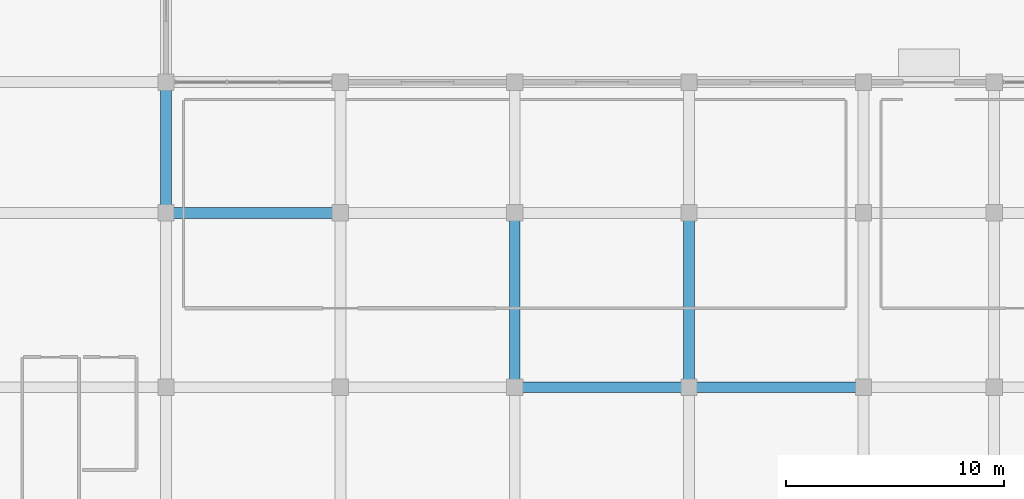
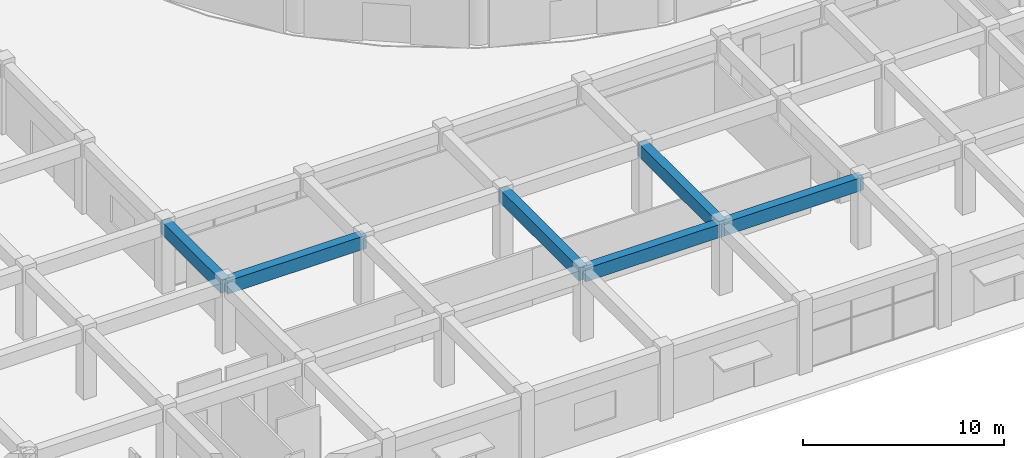
# One storey, part 9 of 40: 6 beams.
"""IFC4 building model written with IfcOpenShell, lengths in metres."""

import ifcopenshell
import ifcopenshell.guid

model = None  # the IFC model being written
_history = None  # IfcOwnerHistory: only IFC2X3 demands one
_inside = {}  # id of a spatial element -> (the spatial element, [elements in it])
_under = {}  # id of a project, library or spatial element -> (it, [spatial elements below it])
_declared = {}  # id of a project -> (the project, [libraries it declares])
_typed = {}  # id of a type object -> (the type object, [elements of that type])
_made_of = {}  # id of a material, layer set ... -> (it, [elements and type objects made of it])


def new_model(schema):
    """Start an empty IFC model of exactly this schema.

    Asked for "IFC4X3", IfcOpenShell would pick the latest addendum, in which some entities
    have other attributes; the version numbers below select the first issue.
    IFC2X3 requires an IfcOwnerHistory on every rooted entity: one is made here for all.
    """
    global model, _history
    if schema == "IFC4X3":
        model = ifcopenshell.file(schema_version=(4, 3, 0, 0))
    else:
        model = ifcopenshell.file(schema=schema)
    _inside.clear()
    _under.clear()
    _declared.clear()
    _typed.clear()
    _made_of.clear()
    _history = None
    if model.schema == "IFC2X3":
        org = make("IfcOrganization", Name="unknown")
        user = make(
            "IfcPersonAndOrganization",
            ThePerson=make("IfcPerson", FamilyName="unknown"),
            TheOrganization=org,
        )
        app = make(
            "IfcApplication",
            ApplicationDeveloper=org,
            Version="unknown",
            ApplicationFullName="unknown",
            ApplicationIdentifier="unknown",
        )
        _history = make(
            "IfcOwnerHistory",
            OwningUser=user,
            OwningApplication=app,
            ChangeAction="ADDED",
            CreationDate=0,
        )
    return model


def make(cls, **values):
    """One entity of the class cls with the attributes given. An attribute that is None is left unset."""
    return model.create_entity(
        cls, **{name: value for name, value in values.items() if value is not None}
    )


def rooted(cls, **values):
    """An entity with a GlobalId (a new one), such as an element, a storey or a relation."""
    return make(cls, GlobalId=ifcopenshell.guid.new(), OwnerHistory=_history, **values)


def si_unit(unit_type, name, prefix=None):
    """IfcSIUnit, for example si_unit("LENGTHUNIT", "METRE", prefix="MILLI")."""
    return make("IfcSIUnit", UnitType=unit_type, Prefix=prefix, Name=name)


def assignment(units):
    """IfcUnitAssignment: the units of a project."""
    return None if units is None else make("IfcUnitAssignment", Units=units)


def point(xyz):
    """IfcCartesianPoint."""
    return None if xyz is None else make("IfcCartesianPoint", Coordinates=xyz)


def direction(xyz):
    """IfcDirection."""
    return None if xyz is None else make("IfcDirection", DirectionRatios=xyz)


def frame(location, z_axis=None, x_axis=None):
    """IfcAxis2Placement3D, a coordinate frame: its origin and axes. An axis left out is left unset."""
    return make(
        "IfcAxis2Placement3D",
        Location=point(location),
        Axis=direction(z_axis),
        RefDirection=direction(x_axis),
    )


def frame_2d(location, x_axis=None):
    """IfcAxis2Placement2D, a coordinate frame in the plane: its origin and x axis."""
    return make(
        "IfcAxis2Placement2D", Location=point(location), RefDirection=direction(x_axis)
    )


def origin():
    """The frame at (0, 0, 0) with its axes left unset."""
    return frame((0.0, 0.0, 0.0))


def origin_2d():
    """The frame at (0, 0) in the plane with its x axis left unset."""
    return frame_2d((0.0, 0.0))


def place(relative_to, where):
    """IfcLocalPlacement: puts the frame where relative to a parent placement (None: the world)."""
    return make(
        "IfcLocalPlacement", PlacementRelTo=relative_to, RelativePlacement=where
    )


def context(
    kind, dimensions, precision=None, world=None, true_north=None, identifier=None
):
    """IfcGeometricRepresentationContext, for example the 3D "Model" context."""
    return make(
        "IfcGeometricRepresentationContext",
        ContextIdentifier=identifier,
        ContextType=kind,
        CoordinateSpaceDimension=dimensions,
        Precision=precision,
        WorldCoordinateSystem=world,
        TrueNorth=true_north,
    )


def subcontext(parent, identifier, kind, view, scale=None):
    """IfcGeometricRepresentationSubContext, for example "Body" below "Model"."""
    return make(
        "IfcGeometricRepresentationSubContext",
        ContextIdentifier=identifier,
        ContextType=kind,
        ParentContext=parent,
        TargetScale=scale,
        TargetView=view,
    )


def project(units=None, contexts=None):
    """IfcProject with its units and contexts."""
    return rooted(
        "IfcProject",
        Name="project",
        RepresentationContexts=contexts,
        UnitsInContext=assignment(units),
    )


def spatial(cls, under=None, at=None, **own):
    """A site, building, storey or space (cls), placed at a placement, below another one or the project."""
    s = rooted(cls, ObjectPlacement=at, **own)
    if under is not None:
        _under.setdefault(under.id(), (under, []))[1].append(s)
    return s


def profile(cls, at=None, kind="AREA", **sizes):
    """A parametric profile (cls). Its sizes go by their IFC names, for example OverallWidth=200.0."""
    return make(cls, ProfileType=kind, Position=at, **sizes)


def rectangle(**sizes):
    """IfcRectangleProfileDef."""
    return profile("IfcRectangleProfileDef", **sizes)


def extrude(swept, where, along, depth):
    """IfcExtrudedAreaSolid: the profile swept, set in the frame where, extruded along a direction by depth."""
    return make(
        "IfcExtrudedAreaSolid",
        SweptArea=swept,
        Position=where,
        ExtrudedDirection=direction(along),
        Depth=depth,
    )


def shape(context_of_items, identifier, shape_type, items):
    """IfcShapeRepresentation: the items that make up one representation, for example the "Body"."""
    return make(
        "IfcShapeRepresentation",
        ContextOfItems=context_of_items,
        RepresentationIdentifier=identifier,
        RepresentationType=shape_type,
        Items=items,
    )


def material(Name=None, Category=None):
    """IfcMaterial."""
    return make("IfcMaterial", Name=Name, Category=Category)


def material_profile(
    of_material, cross_section, Name=None, Category=None, Priority=None
):
    """IfcMaterialProfile: a cross section and its material."""
    return make(
        "IfcMaterialProfile",
        Name=Name,
        Material=of_material,
        Profile=cross_section,
        Priority=Priority,
        Category=Category,
    )


def profile_set(profiles, Name=None, composite=None):
    """IfcMaterialProfileSet."""
    return make(
        "IfcMaterialProfileSet",
        Name=Name,
        MaterialProfiles=profiles,
        CompositeProfile=composite,
    )


def made_of(thing, what):
    """Note that an element or type object is made of a material, layer set ...; save() writes the relation."""
    if what is not None:
        _made_of.setdefault(what.id(), (what, []))[1].append(thing)
    return thing


def type_object(cls, material=None, **own):
    """A type object (cls), such as IfcWallType, which elements share."""
    return made_of(rooted(cls, **own), material)


def element(
    cls,
    number,
    at=None,
    inside=None,
    cuts=None,
    type_object=None,
    material=None,
    context=None,
    identifier="Body",
    shape_type=None,
    held_by="IfcProductDefinitionShape",
    body=None,
    shapes=None,
    **own,
):
    """One element of the class cls, such as IfcWall. Its Tag is "e" and its number.

    at: its placement. inside: the storey or other place that contains it. cuts: it is an
    opening in that element (IfcRelVoidsElement). A single representation is given by context,
    identifier, shape_type and body (its items); several are given by shapes. held_by: the class
    of the entity that holds the representations. save() writes the other relations.
    """
    e = rooted(cls, Tag="e%d" % number, ObjectPlacement=at, **own)
    if body is not None:
        shapes = [shape(context, identifier, shape_type, body)]
    if shapes is not None:
        e.Representation = make(held_by, Representations=shapes)
    if inside is not None:
        _inside.setdefault(inside.id(), (inside, []))[1].append(e)
    if cuts is not None:
        rooted(
            "IfcRelVoidsElement", RelatingBuildingElement=cuts, RelatedOpeningElement=e
        )
    if type_object is not None:
        _typed.setdefault(type_object.id(), (type_object, []))[1].append(e)
    return made_of(e, material)


def aggregate(whole, parts):
    """IfcRelAggregates: a whole, such as a stair, and the parts it consists of."""
    return rooted("IfcRelAggregates", RelatingObject=whole, RelatedObjects=parts)


def save(model, path):
    """Write the relations noted so far, then the file.

    IfcRelAggregates (storeys below a building ...), IfcRelContainedInSpatialStructure (elements
    in a storey), IfcRelDefinesByType, IfcRelAssociatesMaterial and IfcRelDeclares: one each for
    every whole, place, type object, material and project.
    """
    for whole, parts in _under.values():
        aggregate(whole, parts)
    for where, things in _inside.values():
        rooted(
            "IfcRelContainedInSpatialStructure",
            RelatedElements=things,
            RelatingStructure=where,
        )
    for kind, things in _typed.values():
        rooted("IfcRelDefinesByType", RelatedObjects=things, RelatingType=kind)
    for what, things in _made_of.values():
        rooted("IfcRelAssociatesMaterial", RelatedObjects=things, RelatingMaterial=what)
    for by, libraries in _declared.values():
        rooted("IfcRelDeclares", RelatingContext=by, RelatedDefinitions=libraries)
    model.write(path)


model = new_model("IFC4")

# Units and contexts
model_context = context("Model", 3, precision=1e-05, world=origin(), true_north=direction((0.0, 1.0)))
body_context = subcontext(model_context, "Body", "Model", "MODEL_VIEW")
ifc_project = project(units=[si_unit("LENGTHUNIT", "METRE"), si_unit("AREAUNIT", "SQUARE_METRE"), si_unit("VOLUMEUNIT", "CUBIC_METRE"), si_unit("PLANEANGLEUNIT", "RADIAN"), si_unit("MASSUNIT", "GRAM", prefix="KILO")], contexts=[model_context])

# Site, building, storey
site_placement = place(None, origin())
site = spatial("IfcSite", under=ifc_project, at=site_placement, CompositionType="ELEMENT")
building_placement = place(site_placement, origin())
building = spatial("IfcBuilding", under=site, at=building_placement, Name="Kelanora Arch Commons", CompositionType="ELEMENT")
storey_placement = place(building_placement, origin())
storey = spatial("IfcBuildingStorey", under=building, at=storey_placement, Name="L00", CompositionType="ELEMENT", Elevation=0.0)

# Beams
ifc_material = material(Name="Concrete C40/50", Category="concrete")
ifc_material_profile = material_profile(ifc_material, rectangle(XDim=0.5, YDim=0.800048828125, at=origin_2d()), Name="RCB500x800")
ifc_profile_set = profile_set([ifc_material_profile], Name="Concrete C40/50")
beam_type = type_object("IfcBeamType", Name="BM-MKT-RC1", PredefinedType="BEAM", material=ifc_profile_set)
beam_1_placement = place(storey_placement, frame((36.0, 20.0, 3.840087890625), z_axis=(1.0, 0.0, 0.0), x_axis=(0.0, 1.0, 0.0)))
element("IfcBeam", 1, at=beam_1_placement, inside=storey, type_object=beam_type, Name="Market/Basement Frame Beam 084 L00", PredefinedType="BEAM", context=body_context, shape_type="SweptSolid", body=[
    extrude(rectangle(XDim=0.5, YDim=0.800048828125, at=origin_2d()), origin(), (0.0, 0.0, 1.0), 8.0),
])
beam_2_placement = place(storey_placement, frame((36.0, 20.0, 3.840087890625), z_axis=(0.0, 1.0, 0.0), x_axis=(-1.0, 0.0, 0.0)))
element("IfcBeam", 2, at=beam_2_placement, inside=storey, type_object=beam_type, Name="Market/Basement Frame Beam 085 L00", PredefinedType="BEAM", context=body_context, shape_type="SweptSolid", body=[
    extrude(rectangle(XDim=0.5, YDim=0.800048828125, at=origin_2d()), origin(), (0.0, 0.0, 1.0), 6.0),
])
for number, where, z_axis, x_axis, name in (
    (3, (52.0, 12.0, 3.840087890625), (1.0, 0.0, 0.0), (0.0, 1.0, 0.0), "Market/Basement Frame Beam 103 L00"),
    (4, (52.0, 12.0, 3.840087890625), (0.0, 1.0, 0.0), (-1.0, 0.0, 0.0), "Market/Basement Frame Beam 104 L00"),
    (5, (60.0, 12.0, 3.840087890625), (1.0, 0.0, 0.0), (0.0, 1.0, 0.0), "Market/Basement Frame Beam 110 L00"),
    (6, (60.0, 12.0, 3.840087890625), (0.0, 1.0, 0.0), (-1.0, 0.0, 0.0), "Market/Basement Frame Beam 111 L00"),
):
    element("IfcBeam", number, at=place(storey_placement, frame(where, z_axis=z_axis, x_axis=x_axis)), inside=storey, type_object=beam_type, Name=name, PredefinedType="BEAM", context=body_context, shape_type="SweptSolid", body=[
        extrude(rectangle(XDim=0.5, YDim=0.800048828125, at=origin_2d()), origin(), (0.0, 0.0, 1.0), 8.0),
    ])

save(model, "model.ifc")
